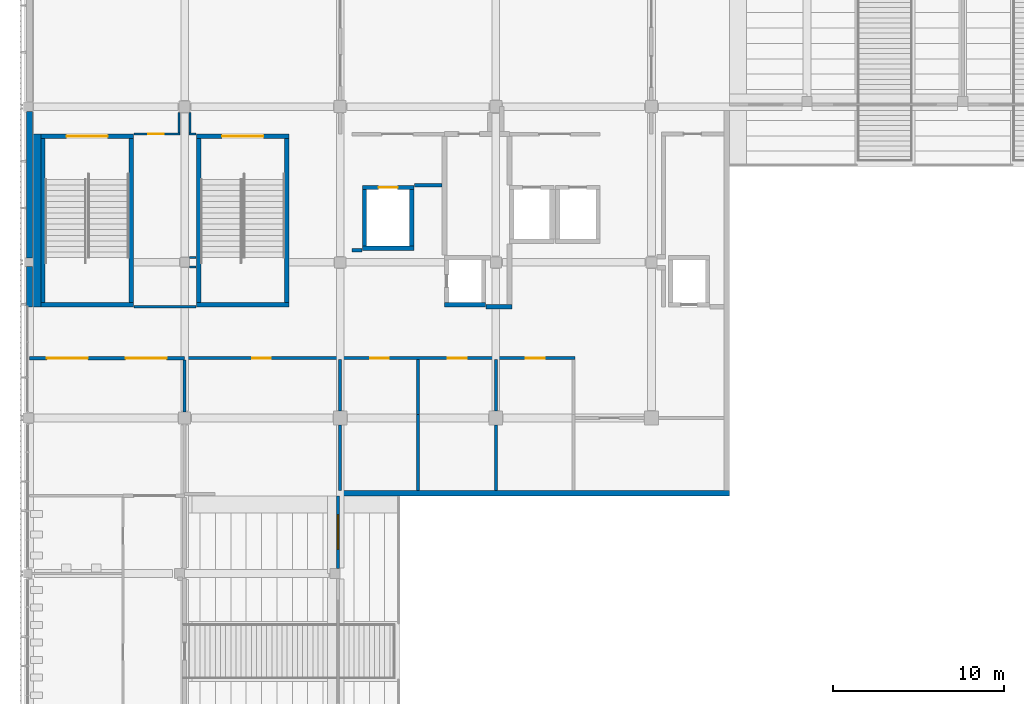
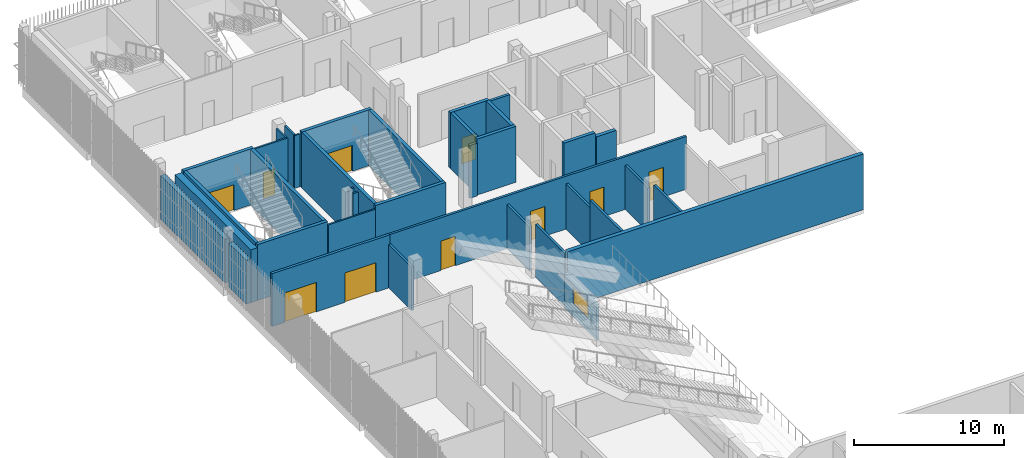
# One storey, part 82 of 139: 37 walls, 10 doors, 1 window, 11 openings.
"""IFC4 building model written with IfcOpenShell, lengths in metres."""

from ifc_helpers import new_model, si_unit, direction, frame, frame_2d, origin, place, context, subcontext, project, spatial, rectangle, extrude, material, layer, layer_set, type_object, element, fill, save


model = new_model("IFC4")

# Units and contexts
model_context = context("Model", 3, precision=1e-05, world=origin(), true_north=direction((0.0, 1.0)))
body_context = subcontext(model_context, "Body", "Model", "MODEL_VIEW")
ifc_project = project(units=[si_unit("LENGTHUNIT", "METRE"), si_unit("AREAUNIT", "SQUARE_METRE"), si_unit("VOLUMEUNIT", "CUBIC_METRE"), si_unit("PLANEANGLEUNIT", "RADIAN"), si_unit("MASSUNIT", "GRAM", prefix="KILO")], contexts=[model_context])

# Site, building, storey
site_placement = place(None, origin())
site = spatial("IfcSite", under=ifc_project, at=site_placement, CompositionType="ELEMENT")
building_placement = place(site_placement, origin())
building = spatial("IfcBuilding", under=site, at=building_placement, Name="Shirokan Park Arena", CompositionType="ELEMENT")
storey_placement = place(building_placement, frame((0.0, 0.0, 15.469970703125)))
storey = spatial("IfcBuildingStorey", under=building, at=storey_placement, Name="L03", CompositionType="ELEMENT", Elevation=15.469970703125)

# Wall
ifc_material_1 = material(Name="Gypsum board")
ifc_layer_1 = layer(ifc_material_1, 0.02490234375, Name="Gypsum board, two layers")
ifc_material_2 = material(Name="Mineral wool insulation")
ifc_layer_2 = layer(ifc_material_2, 0.10009765625, Name="Acoustic mineral wool in studs")
ifc_layer_3 = layer(ifc_material_1, 0.02490234375, Name="Gypsum board, two layers")
ifc_material_3 = material(Name="Acoustic mat on resilient channel")
ifc_layer_4 = layer(ifc_material_3, 0.02490234375, Name="Acoustic mat on resilient channel")
ifc_layer_set_1 = layer_set([ifc_layer_1, ifc_layer_2, ifc_layer_3, ifc_layer_4], Name="Gypsum board, two layers + Acoustic mineral wool in studs + Acoustic mat on resilient channel")
wall_type_1 = type_object("IfcWallType", Name="Acoustic studio wall 175", PredefinedType="PARTITIONING", material=ifc_layer_set_1)
wall_1_placement = place(storey_placement, frame((9.10009765625, 73.14990234375, 0.0), z_axis=(0.0, 0.0, 1.0), x_axis=(0.0, 1.0, 0.0)))
element("IfcWall", 1, at=wall_1_placement, inside=storey, type_object=wall_type_1, Name="Acoustic studio wall 175 L03", PredefinedType="PARTITIONING", context=body_context, shape_type="SweptSolid", body=[
    extrude(rectangle(XDim=3.050048828125, YDim=0.175048828125, at=frame_2d((1.52490234375, 0.0))), origin(), (0.0, 0.0, 1.0), 3.550048828125),
])

# Wall, openings, doors
wall_2_placement = place(storey_placement, frame((9.10009765625, 76.300048828125, 0.0), z_axis=(0.0, 0.0, 1.0), x_axis=(1.0, 0.0, 0.0)))
wall_2 = element("IfcWall", 2, at=wall_2_placement, inside=storey, type_object=wall_type_1, Name="Acoustic studio wall 175 L03", PredefinedType="PARTITIONING", context=body_context, shape_type="SweptSolid", body=[
    extrude(rectangle(XDim=22.83740234375, YDim=0.175048828125, at=frame_2d((11.418701171875, 0.0))), origin(), (0.0, 0.0, 1.0), 4.300048828125),
])
opening_1_placement = place(wall_2_placement, frame((3.949951171875, 0.0, 0.0)))
opening_1 = element("IfcOpeningElement", 3, at=opening_1_placement, cuts=wall_2, Name="Opening D-3036", PredefinedType="OPENING", context=body_context, shape_type="SweptSolid", body=[
    extrude(rectangle(XDim=1.10009765625, YDim=2.39990234375, at=frame_2d((0.550048828125, 1.199951171875))), frame((0.0, 0.097412109375, 0.0), z_axis=(0.0, -1.0, 0.0), x_axis=(1.0, 0.0, 0.0)), (0.0, 0.0, 1.0), 0.195068359375),
])
opening_2_placement = place(wall_2_placement, frame((10.85009765625, 0.0, 0.0)))
opening_2 = element("IfcOpeningElement", 4, at=opening_2_placement, cuts=wall_2, Name="Opening D-3037", PredefinedType="OPENING", context=body_context, shape_type="SweptSolid", body=[
    extrude(rectangle(XDim=1.10009765625, YDim=2.39990234375, at=frame_2d((0.550048828125, 1.199951171875))), frame((0.0, 0.097412109375, 0.0), z_axis=(0.0, -1.0, 0.0), x_axis=(1.0, 0.0, 0.0)), (0.0, 0.0, 1.0), 0.195068359375),
])
opening_3_placement = place(wall_2_placement, frame((15.39990234375, 0.0, 0.0)))
opening_3 = element("IfcOpeningElement", 5, at=opening_3_placement, cuts=wall_2, Name="Opening D-3038", PredefinedType="OPENING", context=body_context, shape_type="SweptSolid", body=[
    extrude(rectangle(XDim=1.10009765625, YDim=2.39990234375, at=frame_2d((0.550048828125, 1.199951171875))), frame((0.0, 0.097412109375, 0.0), z_axis=(0.0, -1.0, 0.0), x_axis=(1.0, 0.0, 0.0)), (0.0, 0.0, 1.0), 0.195068359375),
])
opening_4_placement = place(wall_2_placement, frame((19.949951171875, 0.0, 0.0)))
opening_4 = element("IfcOpeningElement", 6, at=opening_4_placement, cuts=wall_2, Name="Opening D-3039", PredefinedType="OPENING", context=body_context, shape_type="SweptSolid", body=[
    extrude(rectangle(XDim=1.10009765625, YDim=2.39990234375, at=frame_2d((0.550048828125, 1.199951171875))), frame((0.0, 0.097412109375, 0.0), z_axis=(0.0, -1.0, 0.0), x_axis=(1.0, 0.0, 0.0)), (0.0, 0.0, 1.0), 0.195068359375),
])
ifc_material_4 = material(Name="Acoustic timber door set, fire resisting", Category="wood")
door_type_1 = type_object("IfcDoorType", Name="Acoustic studio door 1100 x 2400", OperationType="SINGLE_SWING_LEFT", PredefinedType="DOOR", material=ifc_material_4)
door_1_placement = place(opening_1_placement, origin())
door_1 = element("IfcDoor", 7, at=door_1_placement, inside=storey, type_object=door_type_1, Name="Door to Press Tribune Lounge 3.41 D-3036", OperationType="SINGLE_SWING_LEFT", OverallHeight=2.39990234375, OverallWidth=1.10009765625, PredefinedType="DOOR", context=body_context, shape_type="SweptSolid", body=[
    extrude(rectangle(XDim=1.10009765625, YDim=2.39990234375, at=frame_2d((0.550048828125, 1.199951171875))), frame((0.0, 0.02490234375, 0.0), z_axis=(0.0, -1.0, 0.0), x_axis=(1.0, 0.0, 0.0)), (0.0, 0.0, 1.0), 0.050048828125),
])
fill(opening_1, door_1)
door_2_placement = place(opening_2_placement, origin())
door_2 = element("IfcDoor", 8, at=door_2_placement, inside=storey, type_object=door_type_1, Name="Door to Broadcast Control Room 3.42 D-3037", OperationType="SINGLE_SWING_RIGHT", OverallHeight=2.39990234375, OverallWidth=1.10009765625, PredefinedType="DOOR", context=body_context, shape_type="SweptSolid", body=[
    extrude(rectangle(XDim=1.10009765625, YDim=2.39990234375, at=frame_2d((0.550048828125, 1.199951171875))), frame((0.0, 0.02490234375, 0.0), z_axis=(0.0, -1.0, 0.0), x_axis=(1.0, 0.0, 0.0)), (0.0, 0.0, 1.0), 0.050048828125),
])
fill(opening_2, door_2)
door_3_placement = place(opening_3_placement, origin())
door_3 = element("IfcDoor", 9, at=door_3_placement, inside=storey, type_object=door_type_1, Name="Door to Commentary Booth 3.43 D-3038", OperationType="SINGLE_SWING_RIGHT", OverallHeight=2.39990234375, OverallWidth=1.10009765625, PredefinedType="DOOR", context=body_context, shape_type="SweptSolid", body=[
    extrude(rectangle(XDim=1.10009765625, YDim=2.39990234375, at=frame_2d((0.550048828125, 1.199951171875))), frame((0.0, 0.02490234375, 0.0), z_axis=(0.0, -1.0, 0.0), x_axis=(1.0, 0.0, 0.0)), (0.0, 0.0, 1.0), 0.050048828125),
])
fill(opening_3, door_3)
door_4_placement = place(opening_4_placement, origin())
door_4 = element("IfcDoor", 10, at=door_4_placement, inside=storey, type_object=door_type_1, Name="Door to Commentary Booth 3.44 D-3039", OperationType="SINGLE_SWING_LEFT", OverallHeight=2.39990234375, OverallWidth=1.10009765625, PredefinedType="DOOR", context=body_context, shape_type="SweptSolid", body=[
    extrude(rectangle(XDim=1.10009765625, YDim=2.39990234375, at=frame_2d((0.550048828125, 1.199951171875))), frame((0.0, 0.02490234375, 0.0), z_axis=(0.0, -1.0, 0.0), x_axis=(1.0, 0.0, 0.0)), (0.0, 0.0, 1.0), 0.050048828125),
])
fill(opening_4, door_4)

# Walls
wall_3_placement = place(storey_placement, frame((18.199951171875, 72.39990234375, 0.0), z_axis=(0.0, 0.0, 1.0), x_axis=(0.0, -1.0, 0.0)))
element("IfcWall", 11, at=wall_3_placement, inside=storey, type_object=wall_type_1, Name="Acoustic studio wall 175 L03", PredefinedType="PARTITIONING", context=body_context, shape_type="SweptSolid", body=[
    extrude(rectangle(XDim=3.849853515625, YDim=0.175048828125, at=frame_2d((1.9248046875, 0.0))), origin(), (0.0, 0.0, 1.0), 4.300048828125),
])
wall_4_placement = place(storey_placement, frame((18.199951171875, 76.21240234375, 0.0), z_axis=(0.0, 0.0, 1.0), x_axis=(0.0, -1.0, 0.0)))
element("IfcWall", 12, at=wall_4_placement, inside=storey, type_object=wall_type_1, Name="Acoustic studio wall 175 L03", PredefinedType="PARTITIONING", context=body_context, shape_type="SweptSolid", body=[
    extrude(rectangle(XDim=3.012451171875, YDim=0.175048828125, at=frame_2d((1.50634765625, 0.0))), origin(), (0.0, 0.0, 1.0), 3.60009765625),
])
wall_5_placement = place(storey_placement, frame((22.75, 76.21240234375, 0.0), z_axis=(0.0, 0.0, 1.0), x_axis=(0.0, -1.0, 0.0)))
element("IfcWall", 13, at=wall_5_placement, inside=storey, type_object=wall_type_1, Name="Acoustic studio wall 175 L03", PredefinedType="PARTITIONING", context=body_context, shape_type="SweptSolid", body=[
    extrude(rectangle(XDim=3.21240234375, YDim=0.175048828125, at=frame_2d((1.606201171875, 0.0))), origin(), (0.0, 0.0, 1.0), 3.699951171875),
])
wall_6_placement = place(storey_placement, frame((27.300048828125, 72.39990234375, 0.0), z_axis=(0.0, 0.0, 1.0), x_axis=(0.0, -1.0, 0.0)))
element("IfcWall", 14, at=wall_6_placement, inside=storey, type_object=wall_type_1, Name="Acoustic studio wall 175 L03", PredefinedType="PARTITIONING", context=body_context, shape_type="SweptSolid", body=[
    extrude(rectangle(XDim=3.849853515625, YDim=0.175048828125, at=frame_2d((1.9248046875, 0.0))), origin(), (0.0, 0.0, 1.0), 4.300048828125),
])
wall_7_placement = place(storey_placement, frame((27.300048828125, 76.21240234375, 0.0), z_axis=(0.0, 0.0, 1.0), x_axis=(0.0, -1.0, 0.0)))
element("IfcWall", 15, at=wall_7_placement, inside=storey, type_object=wall_type_1, Name="Acoustic studio wall 175 L03", PredefinedType="PARTITIONING", context=body_context, shape_type="SweptSolid", body=[
    extrude(rectangle(XDim=3.012451171875, YDim=0.175048828125, at=frame_2d((1.50634765625, 0.0))), origin(), (0.0, 0.0, 1.0), 3.60009765625),
])
wall_8_placement = place(storey_placement, frame((22.75, 73.0, 0.0), z_axis=(0.0, 0.0, 1.0), x_axis=(0.0, -1.0, 0.0)))
element("IfcWall", 16, at=wall_8_placement, inside=storey, type_object=wall_type_1, Name="Acoustic studio wall 175 L03", PredefinedType="PARTITIONING", context=body_context, shape_type="SweptSolid", body=[
    extrude(rectangle(XDim=4.449951171875, YDim=0.175048828125, at=frame_2d((2.22509765625, 0.0))), origin(), (0.0, 0.0, 1.0), 4.300048828125),
])

# Wall, opening, window
ifc_material_5 = material(Name="Cedar timber lining", Category="wood")
ifc_layer_5 = layer(ifc_material_5, 0.02001953125, Name="Cedar timber lining")
ifc_material_6 = material(Name="Plywood", Category="wood")
ifc_layer_6 = layer(ifc_material_6, 0.01806640625, Name="Plywood")
ifc_layer_7 = layer(ifc_material_2, 0.14208984375, Name="Mineral wool insulation")
ifc_layer_8 = layer(ifc_material_1, 0.02001953125, Name="Gypsum board")
ifc_layer_set_2 = layer_set([ifc_layer_5, ifc_layer_6, ifc_layer_7, ifc_layer_8], Name="Cedar timber lining + Plywood + Mineral wool insulation + Gypsum board")
wall_type_2 = type_object("IfcWallType", Name="Bowl front wall 200", PredefinedType="PARTITIONING", material=ifc_layer_set_2)
wall_9_placement = place(storey_placement, frame((18.070068359375, 68.25, 0.0), z_axis=(0.0, 0.0, 1.0), x_axis=(0.0, -1.0, 0.0)))
wall_9 = element("IfcWall", 17, at=wall_9_placement, inside=storey, type_object=wall_type_2, Name="Bowl front wall 200 L03", PredefinedType="PARTITIONING", context=body_context, shape_type="SweptSolid", body=[
    extrude(rectangle(XDim=4.25, YDim=0.199951171875, at=frame_2d((2.125, 0.0))), origin(), (0.0, 0.0, 1.0), 2.909912109375),
])
opening_5_placement = place(wall_9_placement, frame((1.125, 0.0, 1.10009765625)))
opening_5 = element("IfcOpeningElement", 18, at=opening_5_placement, cuts=wall_9, Name="Opening W7", PredefinedType="OPENING", context=body_context, shape_type="SweptSolid", body=[
    extrude(rectangle(XDim=2.0, YDim=1.300048828125, at=frame_2d((1.0, 0.64990234375))), frame((0.0, 0.10986328125, 0.0), z_axis=(0.0, -1.0, 0.0), x_axis=(1.0, 0.0, 0.0)), (0.0, 0.0, 1.0), 0.219970703125),
])
ifc_material_7 = material(Name="Aluminium frame with laminated glass", Category="aluminium")
window_type = type_object("IfcWindowType", Name="Suite viewing window 2000 x 1300", PartitioningType="SINGLE_PANEL", PredefinedType="WINDOW", material=ifc_material_7)
window_placement = place(opening_5_placement, origin())
window = element("IfcWindow", 19, at=window_placement, inside=storey, type_object=window_type, Name="Suite viewing window 2000 x 1300 L03", OverallHeight=1.300048828125, OverallWidth=2.0, PartitioningType="SINGLE_PANEL", PredefinedType="WINDOW", context=body_context, shape_type="SweptSolid", body=[
    extrude(rectangle(XDim=2.0, YDim=1.300048828125, at=frame_2d((1.0, 0.64990234375))), frame((0.0, 0.030029296875, 0.0), z_axis=(0.0, -1.0, 0.0), x_axis=(1.0, 0.0, 0.0)), (0.0, 0.0, 1.0), 0.06005859375),
])
fill(opening_5, window)

# Wall, openings, doors
ifc_layer_9 = layer(ifc_material_1, 0.02490234375, Name="Gypsum board, two layers")
ifc_layer_10 = layer(ifc_material_2, 0.14990234375, Name="Mineral wool insulation")
ifc_layer_11 = layer(ifc_material_1, 0.02490234375, Name="Gypsum board, two layers")
ifc_layer_set_3 = layer_set([ifc_layer_9, ifc_layer_10, ifc_layer_11], Name="Gypsum board, two layers + Mineral wool insulation")
wall_type_3 = type_object("IfcWallType", Name="Corridor wall 200", PredefinedType="PARTITIONING", material=ifc_layer_set_3)
wall_10_placement = place(storey_placement, frame((9.10009765625, 76.300048828125, 0.0), z_axis=(0.0, 0.0, 1.0), x_axis=(-1.0, 0.0, 0.0)))
wall_10 = element("IfcWall", 20, at=wall_10_placement, inside=storey, type_object=wall_type_3, Name="Corridor wall 200 L03", PredefinedType="PARTITIONING", context=body_context, shape_type="SweptSolid", body=[
    extrude(rectangle(XDim=9.070068359375, YDim=0.199951171875, at=frame_2d((4.53515625, 0.0))), origin(), (0.0, 0.0, 1.0), 4.300048828125),
])
opening_6_placement = place(wall_10_placement, frame((1.050048828125, 0.0, 0.0)))
opening_6 = element("IfcOpeningElement", 21, at=opening_6_placement, cuts=wall_10, Name="Opening D-3126", PredefinedType="OPENING", context=body_context, shape_type="SweptSolid", body=[
    extrude(rectangle(XDim=2.39990234375, YDim=2.39990234375, at=frame_2d((1.199951171875, 1.199951171875))), frame((0.0, 0.10986328125, 0.0), z_axis=(0.0, -1.0, 0.0), x_axis=(1.0, 0.0, 0.0)), (0.0, 0.0, 1.0), 0.219970703125),
])
opening_7_placement = place(wall_10_placement, frame((5.64990234375, 0.0, 0.0)))
opening_7 = element("IfcOpeningElement", 22, at=opening_7_placement, cuts=wall_10, Name="Opening D-3127", PredefinedType="OPENING", context=body_context, shape_type="SweptSolid", body=[
    extrude(rectangle(XDim=2.39990234375, YDim=2.39990234375, at=frame_2d((1.199951171875, 1.199951171875))), frame((0.0, 0.10986328125, 0.0), z_axis=(0.0, -1.0, 0.0), x_axis=(1.0, 0.0, 0.0)), (0.0, 0.0, 1.0), 0.219970703125),
])
ifc_material_8 = material(Name="Steel door set, fire resisting", Category="steel")
door_type_2 = type_object("IfcDoorType", Name="Double door 2400 x 2400", OperationType="DOUBLE_DOOR_SINGLE_SWING", PredefinedType="DOOR", material=ifc_material_8)
door_5_placement = place(opening_6_placement, origin())
door_5 = element("IfcDoor", 23, at=door_5_placement, inside=storey, type_object=door_type_2, Name="Door between Service Corridor 4.3 and Concourse Link 4.3 D-3126", OperationType="DOUBLE_DOOR_SINGLE_SWING", OverallHeight=2.39990234375, OverallWidth=2.39990234375, PredefinedType="DOOR", context=body_context, shape_type="SweptSolid", body=[
    extrude(rectangle(XDim=2.39990234375, YDim=2.39990234375, at=frame_2d((1.199951171875, 1.199951171875))), frame((0.0, 0.02490234375, 0.0), z_axis=(0.0, -1.0, 0.0), x_axis=(1.0, 0.0, 0.0)), (0.0, 0.0, 1.0), 0.050048828125),
])
fill(opening_6, door_5)
door_6_placement = place(opening_7_placement, origin())
door_6 = element("IfcDoor", 24, at=door_6_placement, inside=storey, type_object=door_type_2, Name="Door between Service Corridor 4.3 and Concourse Link 4.3 D-3127", OperationType="DOUBLE_DOOR_SINGLE_SWING", OverallHeight=2.39990234375, OverallWidth=2.39990234375, PredefinedType="DOOR", context=body_context, shape_type="SweptSolid", body=[
    extrude(rectangle(XDim=2.39990234375, YDim=2.39990234375, at=frame_2d((1.199951171875, 1.199951171875))), frame((0.0, 0.02490234375, 0.0), z_axis=(0.0, -1.0, 0.0), x_axis=(1.0, 0.0, 0.0)), (0.0, 0.0, 1.0), 0.050048828125),
])
fill(opening_7, door_6)

# Walls
wall_11_placement = place(storey_placement, frame((19.469970703125, 82.60009765625, 0.0), z_axis=(0.0, 0.0, 1.0), x_axis=(-1.0, 0.0, 0.0)))
element("IfcWall", 25, at=wall_11_placement, inside=storey, type_object=wall_type_3, Name="Corridor wall 200 L03", PredefinedType="PARTITIONING", context=body_context, shape_type="SweptSolid", body=[
    extrude(rectangle(XDim=0.570068359375, YDim=0.199951171875, at=frame_2d((0.28515625, 0.0))), origin(), (0.0, 0.0, 1.0), 4.300048828125),
])
wall_12_placement = place(storey_placement, frame((24.16259765625, 86.39990234375, 0.0), z_axis=(0.0, 0.0, 1.0), x_axis=(-1.0, 0.0, 0.0)))
element("IfcWall", 26, at=wall_12_placement, inside=storey, type_object=wall_type_3, Name="Corridor wall 200 L03", PredefinedType="PARTITIONING", context=body_context, shape_type="SweptSolid", body=[
    extrude(rectangle(XDim=1.632568359375, YDim=0.199951171875, at=frame_2d((0.81640625, 0.0))), origin(), (0.0, 0.0, 1.0), 4.300048828125),
])
ifc_material_9 = material(Name="Cedar cladding")
ifc_layer_12 = layer(ifc_material_9, 0.030029296875, Name="Cedar cladding")
ifc_layer_13 = layer(ifc_material_2, 0.10009765625, Name="Mineral wool insulation")
ifc_material_10 = material(Name="Concrete C35", Category="concrete")
ifc_layer_14 = layer(ifc_material_10, 0.199951171875, Name="Concrete C35")
ifc_material_11 = material(Name="Gypsum board lining")
ifc_layer_15 = layer(ifc_material_11, 0.02001953125, Name="Gypsum board lining")
ifc_layer_set_4 = layer_set([ifc_layer_12, ifc_layer_13, ifc_layer_14, ifc_layer_15], Name="Cedar cladding + Mineral wool insulation + Concrete C35 + Gypsum board lining")
wall_type_4 = type_object("IfcWallType", Name="Insulated tower wall 350", PredefinedType="SOLIDWALL", material=ifc_layer_set_4)
wall_13_placement = place(storey_placement, frame((0.02490234375, 90.72509765625, 0.0), z_axis=(0.0, 0.0, 1.0), x_axis=(0.0, -1.0, 0.0)))
element("IfcWall", 27, at=wall_13_placement, inside=storey, type_object=wall_type_4, Name="West facade wall bay 3 L03", PredefinedType="SOLIDWALL", context=body_context, shape_type="SweptSolid", body=[
    extrude(rectangle(XDim=8.5751953125, YDim=0.35009765625, at=frame_2d((4.28759765625, 0.0))), origin(), (0.0, 0.0, 1.0), 3.550048828125),
])
wall_14_placement = place(storey_placement, frame((0.02490234375, 81.64990234375, 0.0), z_axis=(0.0, 0.0, 1.0), x_axis=(0.0, -1.0, 0.0)))
element("IfcWall", 28, at=wall_14_placement, inside=storey, type_object=wall_type_4, Name="West facade wall bay 4 L03", PredefinedType="SOLIDWALL", context=body_context, shape_type="SweptSolid", body=[
    extrude(rectangle(XDim=2.349853515625, YDim=0.35009765625, at=frame_2d((1.1748046875, 0.0))), origin(), (0.0, 0.0, 1.0), 3.550048828125),
])
ifc_material_12 = material(Name="Plaster")
ifc_layer_16 = layer(ifc_material_12, 0.012451171875, Name="Plaster")
ifc_material_13 = material(Name="Concrete blockwork", Category="masonry")
ifc_layer_17 = layer(ifc_material_13, 0.25, Name="Concrete blockwork 250")
ifc_layer_18 = layer(ifc_material_12, 0.012451171875, Name="Plaster")
ifc_layer_set_5 = layer_set([ifc_layer_16, ifc_layer_17, ifc_layer_18], Name="Plaster + Concrete blockwork 250")
wall_type_5 = type_object("IfcWallType", Name="Plant room wall 275", PredefinedType="SOLIDWALL", material=ifc_layer_set_5)
wall_15_placement = place(storey_placement, frame((28.237548828125, 79.300048828125, 0.0), z_axis=(0.0, 0.0, 1.0), x_axis=(-1.0, 0.0, 0.0)))
element("IfcWall", 29, at=wall_15_placement, inside=storey, type_object=wall_type_5, Name="Plant room wall 275 L03", PredefinedType="SOLIDWALL", context=body_context, shape_type="SweptSolid", body=[
    extrude(rectangle(XDim=1.507568359375, YDim=0.27490234375, at=frame_2d((0.75390625, 0.0))), origin(), (0.0, 0.0, 1.0), 4.300048828125),
])
ifc_layer_19 = layer(ifc_material_10, 0.300048828125)
ifc_layer_set_6 = layer_set([ifc_layer_19], Name="Concrete C35 300 mm")
wall_type_6 = type_object("IfcWallType", Name="RC flank wall 300", PredefinedType="SHEAR", material=ifc_layer_set_6)
wall_16_placement = place(storey_placement, frame((40.949951171875, 68.39990234375, 0.0), z_axis=(0.0, 0.0, 1.0), x_axis=(-1.0, 0.0, 0.0)))
element("IfcWall", 30, at=wall_16_placement, inside=storey, type_object=wall_type_6, Name="Flank wall W2 L03", PredefinedType="SHEAR", context=body_context, shape_type="SweptSolid", body=[
    extrude(rectangle(XDim=22.75, YDim=0.300048828125, at=frame_2d((11.375, 0.0))), origin(), (0.0, 0.0, 1.0), 4.550048828125),
])
ifc_material_14 = material(Name="Concrete C40/50", Category="concrete")
ifc_layer_20 = layer(ifc_material_14, 0.25)
ifc_layer_set_7 = layer_set([ifc_layer_20], Name="Concrete C40/50 250 mm")
wall_type_7 = type_object("IfcWallType", Name="RC shear wall 250", PredefinedType="SHEAR", material=ifc_layer_set_7)
wall_17_placement = place(storey_placement, frame((26.699951171875, 79.425048828125, 0.0), z_axis=(0.0, 0.0, 1.0), x_axis=(-1.0, 0.0, 0.0)))
element("IfcWall", 31, at=wall_17_placement, inside=storey, type_object=wall_type_7, Name="Shaft wall Services Riser 4.2 S L03", PredefinedType="SHEAR", context=body_context, shape_type="SweptSolid", body=[
    extrude(rectangle(XDim=2.39990234375, YDim=0.25, at=frame_2d((1.199951171875, 0.0))), origin(), (0.0, 0.0, 1.0), 4.550048828125),
])
wall_18_placement = place(storey_placement, frame((22.5, 82.72509765625, 0.0), z_axis=(0.0, 0.0, 1.0), x_axis=(-1.0, 0.0, 0.0)))
element("IfcWall", 32, at=wall_18_placement, inside=storey, type_object=wall_type_7, Name="Shaft wall Service Lift 4 S L03", PredefinedType="SHEAR", context=body_context, shape_type="SweptSolid", body=[
    extrude(rectangle(XDim=3.0, YDim=0.25, at=frame_2d((1.5, 0.0))), origin(), (0.0, 0.0, 1.0), 4.550048828125),
])

# Wall, opening, door
wall_19_placement = place(storey_placement, frame((22.5, 86.27490234375, 0.0), z_axis=(0.0, 0.0, 1.0), x_axis=(-1.0, 0.0, 0.0)))
wall_19 = element("IfcWall", 33, at=wall_19_placement, inside=storey, type_object=wall_type_7, Name="Shaft wall Service Lift 4 N L03", PredefinedType="SHEAR", context=body_context, shape_type="SweptSolid", body=[
    extrude(rectangle(XDim=3.0, YDim=0.25, at=frame_2d((1.5, 0.0))), origin(), (0.0, 0.0, 1.0), 4.550048828125),
])
opening_8_placement = place(wall_19_placement, frame((0.949951171875, 0.0, 0.0)))
opening_8 = element("IfcOpeningElement", 34, at=opening_8_placement, cuts=wall_19, Name="Opening LD73", PredefinedType="OPENING", context=body_context, shape_type="SweptSolid", body=[
    extrude(rectangle(XDim=1.10009765625, YDim=2.10009765625, at=frame_2d((0.550048828125, 1.050048828125))), frame((0.0, 0.135009765625, 0.0), z_axis=(0.0, -1.0, 0.0), x_axis=(1.0, 0.0, 0.0)), (0.0, 0.0, 1.0), 0.27001953125),
])
ifc_material_15 = material(Name="Stainless steel", Category="steel")
door_type_3 = type_object("IfcDoorType", Name="Lift landing door 1100x2100", OperationType="DOUBLE_DOOR_SLIDING", PredefinedType="DOOR", material=ifc_material_15)
door_7_placement = place(opening_8_placement, origin())
door_7 = element("IfcDoor", 35, at=door_7_placement, inside=storey, type_object=door_type_3, Name="Lift landing door Service Lift 4 L03", OperationType="DOUBLE_DOOR_SLIDING", OverallHeight=2.10009765625, OverallWidth=1.10009765625, PredefinedType="DOOR", context=body_context, shape_type="SweptSolid", body=[
    extrude(rectangle(XDim=1.10009765625, YDim=2.10009765625, at=frame_2d((0.550048828125, 1.050048828125))), frame((0.0, 0.02490234375, 0.0), z_axis=(0.0, -1.0, 0.0), x_axis=(1.0, 0.0, 0.0)), (0.0, 0.0, 1.0), 0.050048828125),
])
fill(opening_8, door_7)

# Walls
for number, where, z_axis, x_axis, name in (
    (36, (19.625, 86.14990234375, 0.0), (0.0, 0.0, 1.0), (0.0, -1.0, 0.0), "Shaft wall Service Lift 4 W L03"),
    (37, (22.375, 86.14990234375, 0.0), (0.0, 0.0, 1.0), (0.0, -1.0, 0.0), "Shaft wall Service Lift 4 E L03"),
):
    element("IfcWall", number, at=place(storey_placement, frame(where, z_axis=z_axis, x_axis=x_axis)), inside=storey, type_object=wall_type_7, Name=name, PredefinedType="SHEAR", context=body_context, shape_type="SweptSolid", body=[
        extrude(rectangle(XDim=3.2998046875, YDim=0.25, at=frame_2d((1.64990234375, 0.0))), origin(), (0.0, 0.0, 1.0), 4.550048828125),
    ])
wall_20_placement = place(storey_placement, frame((6.10009765625, 79.425048828125, 0.0), z_axis=(0.0, 0.0, 1.0), x_axis=(-1.0, 0.0, 0.0)))
element("IfcWall", 38, at=wall_20_placement, inside=storey, type_object=wall_type_7, Name="Shaft wall Exit Stair 4.E S L03", PredefinedType="SHEAR", context=body_context, shape_type="SweptSolid", body=[
    extrude(rectangle(XDim=5.400146484375, YDim=0.25, at=frame_2d((2.7001953125, 0.0))), origin(), (0.0, 0.0, 1.0), 4.550048828125),
])

# Wall, opening, door
wall_21_placement = place(storey_placement, frame((6.10009765625, 89.27490234375, 0.0), z_axis=(0.0, 0.0, 1.0), x_axis=(-1.0, 0.0, 0.0)))
wall_21 = element("IfcWall", 39, at=wall_21_placement, inside=storey, type_object=wall_type_7, Name="Shaft wall Exit Stair 4.E N L03", PredefinedType="SHEAR", context=body_context, shape_type="SweptSolid", body=[
    extrude(rectangle(XDim=5.400146484375, YDim=0.25, at=frame_2d((2.7001953125, 0.0))), origin(), (0.0, 0.0, 1.0), 4.550048828125),
])
opening_9_placement = place(wall_21_placement, frame((1.5, 0.0, 0.0)))
opening_9 = element("IfcOpeningElement", 40, at=opening_9_placement, cuts=wall_21, Name="Opening D-3159", PredefinedType="OPENING", context=body_context, shape_type="SweptSolid", body=[
    extrude(rectangle(XDim=2.39990234375, YDim=2.10009765625, at=frame_2d((1.199951171875, 1.050048828125))), frame((0.0, 0.135009765625, 0.0), z_axis=(0.0, -1.0, 0.0), x_axis=(1.0, 0.0, 0.0)), (0.0, 0.0, 1.0), 0.27001953125),
])
door_type_4 = type_object("IfcDoorType", Name="Stair door 2400 x 2100", OperationType="DOUBLE_DOOR_SINGLE_SWING", PredefinedType="DOOR", material=ifc_material_8)
door_8_placement = place(opening_9_placement, origin())
door_8 = element("IfcDoor", 41, at=door_8_placement, inside=storey, type_object=door_type_4, Name="Stair door Exit Stair 4.E D-3159", OperationType="DOUBLE_DOOR_SINGLE_SWING", OverallHeight=2.10009765625, OverallWidth=2.39990234375, PredefinedType="DOOR", context=body_context, shape_type="SweptSolid", body=[
    extrude(rectangle(XDim=2.39990234375, YDim=2.10009765625, at=frame_2d((1.199951171875, 1.050048828125))), frame((0.0, 0.02490234375, 0.0), z_axis=(0.0, -1.0, 0.0), x_axis=(1.0, 0.0, 0.0)), (0.0, 0.0, 1.0), 0.050048828125),
])
fill(opening_9, door_8)

# Walls
for number, where, z_axis, x_axis, name in (
    (42, (0.824951171875, 89.14990234375, 0.0), (0.0, 0.0, 1.0), (0.0, -1.0, 0.0), "Shaft wall Exit Stair 4.E W L03"),
    (43, (5.97509765625, 89.14990234375, 0.0), (0.0, 0.0, 1.0), (0.0, -1.0, 0.0), "Shaft wall Exit Stair 4.E E L03"),
):
    element("IfcWall", number, at=place(storey_placement, frame(where, z_axis=z_axis, x_axis=x_axis)), inside=storey, type_object=wall_type_7, Name=name, PredefinedType="SHEAR", context=body_context, shape_type="SweptSolid", body=[
        extrude(rectangle(XDim=9.599853515625, YDim=0.25, at=frame_2d((4.7998046875, 0.0))), origin(), (0.0, 0.0, 1.0), 4.550048828125),
    ])
wall_22_placement = place(storey_placement, frame((15.199951171875, 79.425048828125, 0.0), z_axis=(0.0, 0.0, 1.0), x_axis=(-1.0, 0.0, 0.0)))
element("IfcWall", 44, at=wall_22_placement, inside=storey, type_object=wall_type_7, Name="Shaft wall Exit Stair 4.F S L03", PredefinedType="SHEAR", context=body_context, shape_type="SweptSolid", body=[
    extrude(rectangle(XDim=5.39990234375, YDim=0.25, at=frame_2d((2.699951171875, 0.0))), origin(), (0.0, 0.0, 1.0), 4.550048828125),
])

# Wall, opening, door
wall_23_placement = place(storey_placement, frame((15.199951171875, 89.27490234375, 0.0), z_axis=(0.0, 0.0, 1.0), x_axis=(-1.0, 0.0, 0.0)))
wall_23 = element("IfcWall", 45, at=wall_23_placement, inside=storey, type_object=wall_type_7, Name="Shaft wall Exit Stair 4.F N L03", PredefinedType="SHEAR", context=body_context, shape_type="SweptSolid", body=[
    extrude(rectangle(XDim=5.39990234375, YDim=0.25, at=frame_2d((2.699951171875, 0.0))), origin(), (0.0, 0.0, 1.0), 4.550048828125),
])
opening_10_placement = place(wall_23_placement, frame((1.5, 0.0, 0.0)))
opening_10 = element("IfcOpeningElement", 46, at=opening_10_placement, cuts=wall_23, Name="Opening D-3160", PredefinedType="OPENING", context=body_context, shape_type="SweptSolid", body=[
    extrude(rectangle(XDim=2.39990234375, YDim=2.10009765625, at=frame_2d((1.199951171875, 1.050048828125))), frame((0.0, 0.135009765625, 0.0), z_axis=(0.0, -1.0, 0.0), x_axis=(1.0, 0.0, 0.0)), (0.0, 0.0, 1.0), 0.27001953125),
])
door_9_placement = place(opening_10_placement, origin())
door_9 = element("IfcDoor", 47, at=door_9_placement, inside=storey, type_object=door_type_4, Name="Stair door Exit Stair 4.F D-3160", OperationType="DOUBLE_DOOR_SINGLE_SWING", OverallHeight=2.10009765625, OverallWidth=2.39990234375, PredefinedType="DOOR", context=body_context, shape_type="SweptSolid", body=[
    extrude(rectangle(XDim=2.39990234375, YDim=2.10009765625, at=frame_2d((1.199951171875, 1.050048828125))), frame((0.0, 0.02490234375, 0.0), z_axis=(0.0, -1.0, 0.0), x_axis=(1.0, 0.0, 0.0)), (0.0, 0.0, 1.0), 0.050048828125),
])
fill(opening_10, door_9)

# Walls
for number, where, z_axis, x_axis, name in (
    (48, (9.925048828125, 89.14990234375, 0.0), (0.0, 0.0, 1.0), (0.0, -1.0, 0.0), "Shaft wall Exit Stair 4.F W L03"),
    (49, (15.074951171875, 89.14990234375, 0.0), (0.0, 0.0, 1.0), (0.0, -1.0, 0.0), "Shaft wall Exit Stair 4.F E L03"),
):
    element("IfcWall", number, at=place(storey_placement, frame(where, z_axis=z_axis, x_axis=x_axis)), inside=storey, type_object=wall_type_7, Name=name, PredefinedType="SHEAR", context=body_context, shape_type="SweptSolid", body=[
        extrude(rectangle(XDim=9.599853515625, YDim=0.25, at=frame_2d((4.7998046875, 0.0))), origin(), (0.0, 0.0, 1.0), 4.550048828125),
    ])
ifc_layer_21 = layer(ifc_material_10, 0.5)
ifc_layer_set_8 = layer_set([ifc_layer_21], Name="Concrete C35 500 mm")
wall_type_8 = type_object("IfcWallType", Name="Shaft infill wall 500", PredefinedType="SOLIDWALL", material=ifc_layer_set_8)
wall_24_placement = place(storey_placement, frame((0.449951171875, 79.300048828125, 0.0), z_axis=(0.0, 0.0, 1.0), x_axis=(0.0, 1.0, 0.0)))
element("IfcWall", 50, at=wall_24_placement, inside=storey, type_object=wall_type_8, Name="Shaft infill wall L03", PredefinedType="SOLIDWALL", context=body_context, shape_type="SweptSolid", body=[
    extrude(rectangle(XDim=10.099853515625, YDim=0.5, at=frame_2d((5.0498046875, 0.0))), origin(), (0.0, 0.0, 1.0), 4.300048828125),
])
ifc_material_16 = material(Name="Ceramic tile")
ifc_layer_22 = layer(ifc_material_16, 0.010009765625, Name="Ceramic tile")
ifc_material_17 = material(Name="Cement board")
ifc_layer_23 = layer(ifc_material_17, 0.012451171875, Name="Cement board")
ifc_layer_24 = layer(ifc_material_2, 0.080078125, Name="Mineral wool insulation")
ifc_layer_25 = layer(ifc_material_17, 0.012451171875, Name="Cement board")
ifc_layer_26 = layer(ifc_material_16, 0.010009765625, Name="Ceramic tile")
ifc_layer_set_9 = layer_set([ifc_layer_22, ifc_layer_23, ifc_layer_24, ifc_layer_25, ifc_layer_26], Name="Ceramic tile + Cement board + Mineral wool insulation")
wall_type_9 = type_object("IfcWallType", Name="Wet-area wall 125", PredefinedType="PARTITIONING", material=ifc_layer_set_9)
wall_25_placement = place(storey_placement, frame((8.77490234375, 90.675048828125, 0.0), z_axis=(0.0, 0.0, 1.0), x_axis=(0.0, -1.0, 0.0)))
element("IfcWall", 51, at=wall_25_placement, inside=storey, type_object=wall_type_9, Name="Wet-area wall 125 L03", PredefinedType="PARTITIONING", context=body_context, shape_type="SweptSolid", body=[
    extrude(rectangle(XDim=1.212646484375, YDim=0.125, at=frame_2d((0.6064453125, 0.0))), origin(), (0.0, 0.0, 1.0), 4.300048828125),
])

# Wall, opening, door
wall_26_placement = place(storey_placement, frame((8.83740234375, 89.39990234375, 0.0), z_axis=(0.0, 0.0, 1.0), x_axis=(-1.0, 0.0, 0.0)))
wall_26 = element("IfcWall", 52, at=wall_26_placement, inside=storey, type_object=wall_type_9, Name="Wet-area wall 125 L03", PredefinedType="PARTITIONING", context=body_context, shape_type="SweptSolid", body=[
    extrude(rectangle(XDim=2.70751953125, YDim=0.125, at=frame_2d((1.353759765625, 0.0))), origin(), (0.0, 0.0, 1.0), 4.300048828125),
])
opening_11_placement = place(wall_26_placement, frame((0.949951171875, 0.0, 0.0)))
opening_11 = element("IfcOpeningElement", 53, at=opening_11_placement, cuts=wall_26, Name="Opening D-3030", PredefinedType="OPENING", context=body_context, shape_type="SweptSolid", body=[
    extrude(rectangle(XDim=0.89990234375, YDim=2.10009765625, at=frame_2d((0.449951171875, 1.050048828125))), frame((0.0, 0.072509765625, 0.0), z_axis=(0.0, -1.0, 0.0), x_axis=(1.0, 0.0, 0.0)), (0.0, 0.0, 1.0), 0.14501953125),
])
ifc_material_18 = material(Name="Timber door set, fire resisting", Category="wood")
door_type_5 = type_object("IfcDoorType", Name="Door 900 x 2100", OperationType="SINGLE_SWING_LEFT", PredefinedType="DOOR", material=ifc_material_18)
door_10_placement = place(opening_11_placement, origin())
door_10 = element("IfcDoor", 54, at=door_10_placement, inside=storey, type_object=door_type_5, Name="Door to Staff WC 3.47 D-3030", OperationType="SINGLE_SWING_LEFT", OverallHeight=2.10009765625, OverallWidth=0.89990234375, PredefinedType="DOOR", context=body_context, shape_type="SweptSolid", body=[
    extrude(rectangle(XDim=0.89990234375, YDim=2.10009765625, at=frame_2d((0.449951171875, 1.050048828125))), frame((0.0, 0.02490234375, 0.0), z_axis=(0.0, -1.0, 0.0), x_axis=(1.0, 0.0, 0.0)), (0.0, 0.0, 1.0), 0.050048828125),
])
fill(opening_11, door_10)

# Walls
wall_27_placement = place(storey_placement, frame((9.375, 81.625, 0.0), z_axis=(0.0, 0.0, 1.0), x_axis=(1.0, 0.0, 0.0)))
element("IfcWall", 55, at=wall_27_placement, inside=storey, type_object=wall_type_9, Name="Wet-area wall 125 L03", PredefinedType="PARTITIONING", context=body_context, shape_type="SweptSolid", body=[
    extrude(rectangle(XDim=0.39501953125, YDim=0.125, at=frame_2d((0.197509765625, 0.0))), origin(), (0.0, 0.0, 1.0), 4.300048828125),
])
wall_28_placement = place(storey_placement, frame((9.425048828125, 89.46240234375, 0.0), z_axis=(0.0, 0.0, 1.0), x_axis=(0.0, 1.0, 0.0)))
element("IfcWall", 56, at=wall_28_placement, inside=storey, type_object=wall_type_9, Name="Wet-area wall 125 L03", PredefinedType="PARTITIONING", context=body_context, shape_type="SweptSolid", body=[
    extrude(rectangle(XDim=1.212646484375, YDim=0.125, at=frame_2d((0.6064453125, 0.0))), origin(), (0.0, 0.0, 1.0), 4.300048828125),
])
wall_29_placement = place(storey_placement, frame((9.77001953125, 79.300048828125, 0.0), z_axis=(0.0, 0.0, 1.0), x_axis=(-1.0, 0.0, 0.0)))
element("IfcWall", 57, at=wall_29_placement, inside=storey, type_object=wall_type_9, Name="Wet-area wall 125 L03", PredefinedType="PARTITIONING", context=body_context, shape_type="SweptSolid", body=[
    extrude(rectangle(XDim=3.64013671875, YDim=0.125, at=frame_2d((1.820068359375, 0.0))), origin(), (0.0, 0.0, 1.0), 4.300048828125),
])
wall_30_placement = place(storey_placement, frame((9.77001953125, 82.175048828125, 0.0), z_axis=(0.0, 0.0, 1.0), x_axis=(-1.0, 0.0, 0.0)))
element("IfcWall", 58, at=wall_30_placement, inside=storey, type_object=wall_type_9, Name="Wet-area wall 125 L03", PredefinedType="PARTITIONING", context=body_context, shape_type="SweptSolid", body=[
    extrude(rectangle(XDim=0.39501953125, YDim=0.125, at=frame_2d((0.197509765625, 0.0))), origin(), (0.0, 0.0, 1.0), 4.300048828125),
])
wall_31_placement = place(storey_placement, frame((9.77001953125, 89.39990234375, 0.0), z_axis=(0.0, 0.0, 1.0), x_axis=(-1.0, 0.0, 0.0)))
element("IfcWall", 59, at=wall_31_placement, inside=storey, type_object=wall_type_9, Name="Wet-area wall 125 L03", PredefinedType="PARTITIONING", context=body_context, shape_type="SweptSolid", body=[
    extrude(rectangle(XDim=0.407470703125, YDim=0.125, at=frame_2d((0.20361328125, 0.0))), origin(), (0.0, 0.0, 1.0), 4.300048828125),
])

save(model, "model.ifc")
